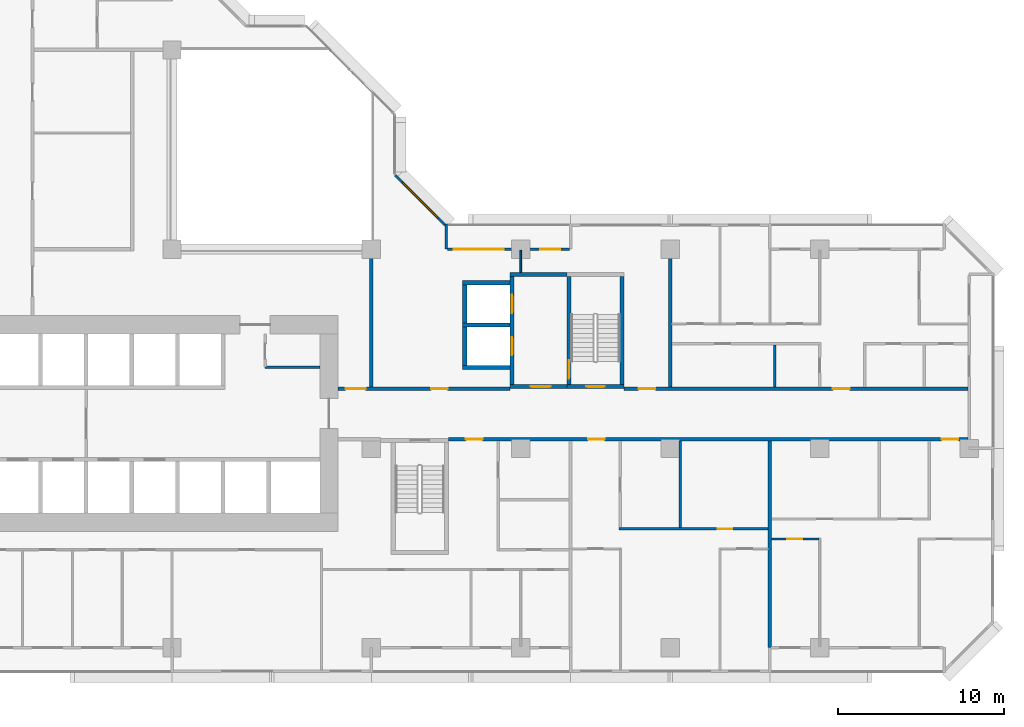
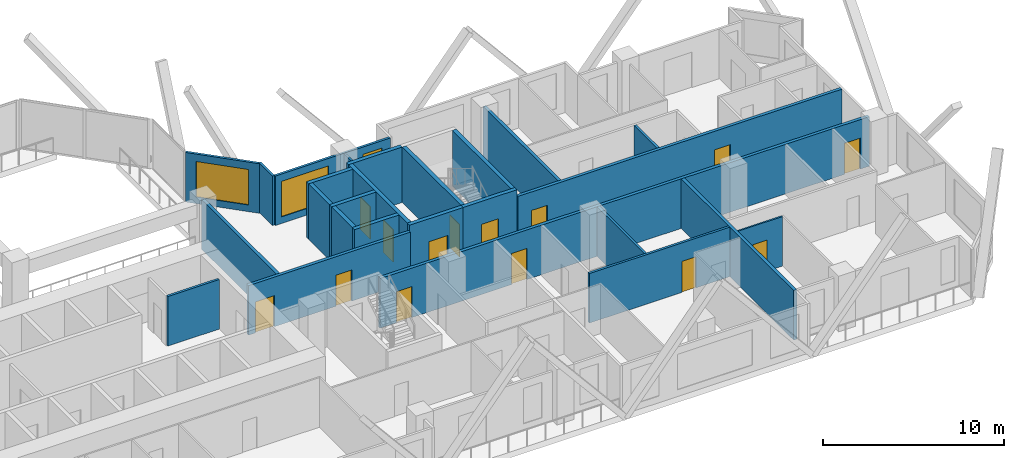
# One storey, part 7 of 15: 26 walls, 14 doors, 3 windows, 17 openings.
"""IFC4 building model written with IfcOpenShell, lengths in metres."""

from ifc_helpers import new_model, si_unit, direction, frame, frame_2d, origin, place, context, subcontext, project, spatial, rectangle, extrude, material, layer, layer_set, type_object, element, fill, save


model = new_model("IFC4")

# Units and contexts
model_context = context("Model", 3, precision=1e-05, world=origin(), true_north=direction((0.0, 1.0)))
body_context = subcontext(model_context, "Body", "Model", "MODEL_VIEW")
ifc_project = project(units=[si_unit("LENGTHUNIT", "METRE"), si_unit("AREAUNIT", "SQUARE_METRE"), si_unit("VOLUMEUNIT", "CUBIC_METRE"), si_unit("PLANEANGLEUNIT", "RADIAN"), si_unit("MASSUNIT", "GRAM", prefix="KILO")], contexts=[model_context])

# Site, building, storey
site_placement = place(None, origin())
site = spatial("IfcSite", under=ifc_project, at=site_placement, CompositionType="ELEMENT")
building_placement = place(site_placement, origin())
building = spatial("IfcBuilding", under=site, at=building_placement, Name="Chenar Terraces", CompositionType="ELEMENT")
storey_placement = place(building_placement, frame((0.0, 0.0, 56.39990234375)))
storey = spatial("IfcBuildingStorey", under=building, at=storey_placement, Name="L11", CompositionType="ELEMENT", Elevation=56.39990234375)

# Wall
ifc_material_1 = material(Name="Gypsum board on steel studs", Category="steel")
ifc_layer_1 = layer(ifc_material_1, 0.14990234375)
ifc_layer_set_1 = layer_set([ifc_layer_1], Name="Gypsum board on steel studs")
wall_type_1 = type_object("IfcWallType", Name="Core partition 150 gypsum board", PredefinedType="PARTITIONING", material=ifc_layer_set_1)
wall_1_placement = place(storey_placement, frame((29.60009765625, 16.89990234375, 0.0), z_axis=(0.0, 0.0, 1.0), x_axis=(1.0, 0.0, 0.0)))
element("IfcWall", 1, at=wall_1_placement, inside=storey, type_object=wall_type_1, Name="Core partition CP1 vestibule room south wall", PredefinedType="PARTITIONING", context=body_context, shape_type="SweptSolid", body=[
    extrude(rectangle(XDim=3.2998046875, YDim=0.14990234375, at=frame_2d((1.64990234375, 0.0))), origin(), (0.0, 0.0, 1.0), 3.35009765625),
])

# Wall, opening, door
ifc_material_2 = material(Name="Concrete C70/85", Category="concrete")
ifc_layer_2 = layer(ifc_material_2, 0.25)
ifc_layer_set_2 = layer_set([ifc_layer_2], Name="Concrete C70/85")
wall_type_2 = type_object("IfcWallType", Name="Core wall 250 Concrete C70/85", PredefinedType="SHEAR", material=ifc_layer_set_2)
wall_2_placement = place(storey_placement, frame((47.77490234375, 15.72509765625, 0.0), z_axis=(0.0, 0.0, 1.0), x_axis=(1.0, 0.0, 0.0)))
wall_2 = element("IfcWall", 2, at=wall_2_placement, inside=storey, type_object=wall_type_2, Name="Core wall ST3_S L11", PredefinedType="SHEAR", context=body_context, shape_type="SweptSolid", body=[
    extrude(rectangle(XDim=3.4501953125, YDim=0.25, at=frame_2d((1.72509765625, 0.0))), origin(), (0.0, 0.0, 1.0), 3.75),
])
opening_1_placement = place(wall_2_placement, frame((1.175048828125, 0.0, 0.0)))
opening_1 = element("IfcOpeningElement", 3, at=opening_1_placement, cuts=wall_2, Name="Opening DL11-C8", PredefinedType="OPENING", context=body_context, shape_type="SweptSolid", body=[
    extrude(rectangle(XDim=1.10009765625, YDim=2.199951171875, at=frame_2d((0.550048828125, 1.10009765625))), frame((0.0, 0.135009765625, 0.0), z_axis=(0.0, -1.0, 0.0), x_axis=(1.0, 0.0, 0.0)), (0.0, 0.0, 1.0), 0.27001953125),
])
ifc_material_3 = material(Name="Steel-framed fire-resisting door leaf", Category="steel")
door_type_1 = type_object("IfcDoorType", Name="Stair fire door FD60 1100 x 2200", OperationType="SINGLE_SWING_LEFT", PredefinedType="DOOR", material=ifc_material_3)
door_1_placement = place(opening_1_placement, frame((1.10009765625, 0.0, 0.0), z_axis=(0.0, 0.0, 1.0), x_axis=(-1.0, 0.0, 0.0)))
door_1 = element("IfcDoor", 4, at=door_1_placement, inside=storey, type_object=door_type_1, Name="Stair door DL11-C8", OperationType="SINGLE_SWING_LEFT", OverallHeight=2.199951171875, OverallWidth=1.10009765625, PredefinedType="DOOR", context=body_context, shape_type="SweptSolid", body=[
    extrude(rectangle(XDim=1.10009765625, YDim=2.199951171875, at=frame_2d((0.550048828125, 1.10009765625))), frame((0.0, 0.02490234375, 0.0), z_axis=(0.0, -1.0, 0.0), x_axis=(1.0, 0.0, 0.0)), (0.0, 0.0, 1.0), 0.050048828125),
])
fill(opening_1, door_1)

wall_3_placement = place(storey_placement, frame((47.89990234375, 15.85009765625, 0.0), z_axis=(0.0, 0.0, 1.0), x_axis=(0.0, 1.0, 0.0)))
wall_3 = element("IfcWall", 5, at=wall_3_placement, inside=storey, type_object=wall_type_2, Name="Core wall ST3_W L11", PredefinedType="SHEAR", context=body_context, shape_type="SweptSolid", body=[
    extrude(rectangle(XDim=6.5, YDim=0.25, at=frame_2d((3.25, 0.0))), origin(), (0.0, 0.0, 1.0), 3.75),
])
opening_2_placement = place(wall_3_placement, frame((0.35009765625, 0.0, 0.0)))
opening_2 = element("IfcOpeningElement", 6, at=opening_2_placement, cuts=wall_3, Name="Opening DL11-C11", PredefinedType="OPENING", context=body_context, shape_type="SweptSolid", body=[
    extrude(rectangle(XDim=1.10009765625, YDim=2.199951171875, at=frame_2d((0.550048828125, 1.10009765625))), frame((0.0, 0.135009765625, 0.0), z_axis=(0.0, -1.0, 0.0), x_axis=(1.0, 0.0, 0.0)), (0.0, 0.0, 1.0), 0.27001953125),
])
door_2_placement = place(opening_2_placement, frame((1.10009765625, 0.0, 0.0), z_axis=(0.0, 0.0, 1.0), x_axis=(-1.0, 0.0, 0.0)))
door_2 = element("IfcDoor", 7, at=door_2_placement, inside=storey, type_object=door_type_1, Name="Stair door DL11-C11", OperationType="SINGLE_SWING_RIGHT", OverallHeight=2.199951171875, OverallWidth=1.10009765625, PredefinedType="DOOR", context=body_context, shape_type="SweptSolid", body=[
    extrude(rectangle(XDim=1.10009765625, YDim=2.199951171875, at=frame_2d((0.550048828125, 1.10009765625))), frame((0.0, 0.02490234375, 0.0), z_axis=(0.0, -1.0, 0.0), x_axis=(1.0, 0.0, 0.0)), (0.0, 0.0, 1.0), 0.050048828125),
])
fill(opening_2, door_2)

# Wall
wall_4_placement = place(storey_placement, frame((51.10009765625, 15.85009765625, 0.0), z_axis=(0.0, 0.0, 1.0), x_axis=(0.0, 1.0, 0.0)))
element("IfcWall", 8, at=wall_4_placement, inside=storey, type_object=wall_type_2, Name="Core wall ST3_E L11", PredefinedType="SHEAR", context=body_context, shape_type="SweptSolid", body=[
    extrude(rectangle(XDim=6.5, YDim=0.25, at=frame_2d((3.25, 0.0))), origin(), (0.0, 0.0, 1.0), 3.75),
])

# Wall, opening, door
wall_5_placement = place(storey_placement, frame((44.35009765625, 15.72509765625, 0.0), z_axis=(0.0, 0.0, 1.0), x_axis=(1.0, 0.0, 0.0)))
wall_5 = element("IfcWall", 9, at=wall_5_placement, inside=storey, type_object=wall_type_2, Name="Core wall F3_LS L11", PredefinedType="SHEAR", context=body_context, shape_type="SweptSolid", body=[
    extrude(rectangle(XDim=3.4248046875, YDim=0.25, at=frame_2d((1.71240234375, 0.0))), origin(), (0.0, 0.0, 1.0), 3.75),
])
opening_3_placement = place(wall_5_placement, frame((1.25, 0.0, 0.0)))
opening_3 = element("IfcOpeningElement", 10, at=opening_3_placement, cuts=wall_5, Name="Opening DL11-C10", PredefinedType="OPENING", context=body_context, shape_type="SweptSolid", body=[
    extrude(rectangle(XDim=1.199951171875, YDim=2.199951171875, at=frame_2d((0.60009765625, 1.10009765625))), frame((0.0, 0.135009765625, 0.0), z_axis=(0.0, -1.0, 0.0), x_axis=(1.0, 0.0, 0.0)), (0.0, 0.0, 1.0), 0.27001953125),
])
ifc_material_4 = material(Name="Steel-framed fire-resisting door leaf", Category="steel")
door_type_2 = type_object("IfcDoorType", Name="Lobby fire door FD60 1200 x 2200", OperationType="SINGLE_SWING_LEFT", PredefinedType="DOOR", material=ifc_material_4)
door_3_placement = place(opening_3_placement, origin())
door_3 = element("IfcDoor", 11, at=door_3_placement, inside=storey, type_object=door_type_2, Name="Core door DL11-C10", OperationType="SINGLE_SWING_RIGHT", OverallHeight=2.199951171875, OverallWidth=1.199951171875, PredefinedType="DOOR", context=body_context, shape_type="SweptSolid", body=[
    extrude(rectangle(XDim=1.199951171875, YDim=2.199951171875, at=frame_2d((0.60009765625, 1.10009765625))), frame((0.0, 0.02490234375, 0.0), z_axis=(0.0, -1.0, 0.0), x_axis=(1.0, 0.0, 0.0)), (0.0, 0.0, 1.0), 0.050048828125),
])
fill(opening_3, door_3)

# Wall
wall_6_placement = place(storey_placement, frame((44.35009765625, 22.47509765625, 0.0), z_axis=(0.0, 0.0, 1.0), x_axis=(1.0, 0.0, 0.0)))
element("IfcWall", 12, at=wall_6_placement, inside=storey, type_object=wall_type_2, Name="Core wall F3_LN L11", PredefinedType="SHEAR", context=body_context, shape_type="SweptSolid", body=[
    extrude(rectangle(XDim=3.4248046875, YDim=0.25, at=frame_2d((1.71240234375, 0.0))), origin(), (0.0, 0.0, 1.0), 3.75),
])

# Wall, openings, doors
wall_7_placement = place(storey_placement, frame((44.47509765625, 15.85009765625, 0.0), z_axis=(0.0, 0.0, 1.0), x_axis=(0.0, 1.0, 0.0)))
wall_7 = element("IfcWall", 13, at=wall_7_placement, inside=storey, type_object=wall_type_2, Name="Core wall F3_LW L11", PredefinedType="SHEAR", context=body_context, shape_type="SweptSolid", body=[
    extrude(rectangle(XDim=6.5, YDim=0.25, at=frame_2d((3.25, 0.0))), origin(), (0.0, 0.0, 1.0), 3.75),
])
opening_4_placement = place(wall_7_placement, frame((1.75, 0.0, 0.0)))
opening_4 = element("IfcOpeningElement", 14, at=opening_4_placement, cuts=wall_7, Name="Opening DL11-LD8", PredefinedType="OPENING", context=body_context, shape_type="SweptSolid", body=[
    extrude(rectangle(XDim=1.10009765625, YDim=2.199951171875, at=frame_2d((0.550048828125, 1.10009765625))), frame((0.0, 0.135009765625, 0.0), z_axis=(0.0, -1.0, 0.0), x_axis=(1.0, 0.0, 0.0)), (0.0, 0.0, 1.0), 0.27001953125),
])
opening_5_placement = place(wall_7_placement, frame((4.300048828125, 0.0, 0.0)))
opening_5 = element("IfcOpeningElement", 15, at=opening_5_placement, cuts=wall_7, Name="Opening DL11-LD9", PredefinedType="OPENING", context=body_context, shape_type="SweptSolid", body=[
    extrude(rectangle(XDim=1.10009765625, YDim=2.199951171875, at=frame_2d((0.550048828125, 1.10009765625))), frame((0.0, 0.135009765625, 0.0), z_axis=(0.0, -1.0, 0.0), x_axis=(1.0, 0.0, 0.0)), (0.0, 0.0, 1.0), 0.27001953125),
])
ifc_material_5 = material(Name="Stainless steel", Category="steel")
door_type_3 = type_object("IfcDoorType", Name="Lift landing door 1100 x 2200 sliding", OperationType="DOUBLE_DOOR_SLIDING", PredefinedType="DOOR", material=ifc_material_5)
door_4_placement = place(opening_4_placement, origin())
door_4 = element("IfcDoor", 16, at=door_4_placement, inside=storey, type_object=door_type_3, Name="Landing door F3", OperationType="DOUBLE_DOOR_SLIDING", OverallHeight=2.199951171875, OverallWidth=1.10009765625, PredefinedType="DOOR", context=body_context, shape_type="SweptSolid", body=[
    extrude(rectangle(XDim=1.10009765625, YDim=2.199951171875, at=frame_2d((0.550048828125, 1.10009765625))), frame((0.0, 0.02490234375, 0.0), z_axis=(0.0, -1.0, 0.0), x_axis=(1.0, 0.0, 0.0)), (0.0, 0.0, 1.0), 0.050048828125),
])
fill(opening_4, door_4)
door_5_placement = place(opening_5_placement, origin())
door_5 = element("IfcDoor", 17, at=door_5_placement, inside=storey, type_object=door_type_3, Name="Landing door F4", OperationType="DOUBLE_DOOR_SLIDING", OverallHeight=2.199951171875, OverallWidth=1.10009765625, PredefinedType="DOOR", context=body_context, shape_type="SweptSolid", body=[
    extrude(rectangle(XDim=1.10009765625, YDim=2.199951171875, at=frame_2d((0.550048828125, 1.10009765625))), frame((0.0, 0.02490234375, 0.0), z_axis=(0.0, -1.0, 0.0), x_axis=(1.0, 0.0, 0.0)), (0.0, 0.0, 1.0), 0.050048828125),
])
fill(opening_5, door_5)

# Walls
for number, where, z_axis, x_axis, name in (
    (18, (41.5, 16.875, 0.0), (0.0, 0.0, 1.0), (1.0, 0.0, 0.0), "Core wall F3_SS L11"),
    (19, (41.5, 19.425048828125, 0.0), (0.0, 0.0, 1.0), (1.0, 0.0, 0.0), "Core wall F3_SM L11"),
    (20, (41.5, 21.97509765625, 0.0), (0.0, 0.0, 1.0), (1.0, 0.0, 0.0), "Core wall F4_SN L11"),
):
    element("IfcWall", number, at=place(storey_placement, frame(where, z_axis=z_axis, x_axis=x_axis)), inside=storey, type_object=wall_type_2, Name=name, PredefinedType="SHEAR", context=body_context, shape_type="SweptSolid", body=[
        extrude(rectangle(XDim=2.85009765625, YDim=0.25, at=frame_2d((1.425048828125, 0.0))), origin(), (0.0, 0.0, 1.0), 3.75),
    ])
for number, where, z_axis, x_axis, name in (
    (21, (41.625, 17.0, 0.0), (0.0, 0.0, 1.0), (0.0, 1.0, 0.0), "Core wall F3_SW L11"),
    (22, (41.625, 19.550048828125, 0.0), (0.0, 0.0, 1.0), (0.0, 1.0, 0.0), "Core wall F4_SW L11"),
):
    element("IfcWall", number, at=place(storey_placement, frame(where, z_axis=z_axis, x_axis=x_axis)), inside=storey, type_object=wall_type_2, Name=name, PredefinedType="SHEAR", context=body_context, shape_type="SweptSolid", body=[
        extrude(rectangle(XDim=2.300048828125, YDim=0.25, at=frame_2d((1.14990234375, 0.0))), origin(), (0.0, 0.0, 1.0), 3.75),
    ])

# Wall, openings, doors
ifc_material_6 = material(Name="Gypsum board on steel studs with fire boards", Category="steel")
ifc_layer_3 = layer(ifc_material_6, 0.199951171875)
ifc_layer_set_3 = layer_set([ifc_layer_3], Name="Gypsum board on steel studs with fire boards")
wall_type_3 = type_object("IfcWallType", Name="Corridor wall 200", PredefinedType="PARTITIONING", material=ifc_layer_set_3)
wall_8_placement = place(storey_placement, frame((34.0, 15.60009765625, 0.0), z_axis=(0.0, 0.0, 1.0), x_axis=(1.0, 0.0, 0.0)))
wall_8 = element("IfcWall", 23, at=wall_8_placement, inside=storey, type_object=wall_type_3, Name="Partition L11-062", PredefinedType="PARTITIONING", context=body_context, shape_type="SweptSolid", body=[
    extrude(rectangle(XDim=10.35009765625, YDim=0.199951171875, at=frame_2d((5.175048828125, 0.0))), origin(), (0.0, 0.0, 1.0), 3.35009765625),
])
opening_6_placement = place(wall_8_placement, frame((5.60009765625, 0.0, 0.0)))
opening_6 = element("IfcOpeningElement", 24, at=opening_6_placement, cuts=wall_8, Name="Opening DL11-3", PredefinedType="OPENING", context=body_context, shape_type="SweptSolid", body=[
    extrude(rectangle(XDim=1.0, YDim=2.10009765625, at=frame_2d((0.5, 1.050048828125))), frame((0.0, 0.10986328125, 0.0), z_axis=(0.0, -1.0, 0.0), x_axis=(1.0, 0.0, 0.0)), (0.0, 0.0, 1.0), 0.219970703125),
])
opening_7_placement = place(wall_8_placement, frame((0.449951171875, 0.0, 0.0)))
opening_7 = element("IfcOpeningElement", 25, at=opening_7_placement, cuts=wall_8, Name="Opening DL11-50", PredefinedType="OPENING", context=body_context, shape_type="SweptSolid", body=[
    extrude(rectangle(XDim=1.199951171875, YDim=2.10009765625, at=frame_2d((0.60009765625, 1.050048828125))), frame((0.0, 0.10986328125, 0.0), z_axis=(0.0, -1.0, 0.0), x_axis=(1.0, 0.0, 0.0)), (0.0, 0.0, 1.0), 0.219970703125),
])
ifc_material_7 = material(Name="Steel-framed fire-resisting door leaf", Category="steel")
door_type_4 = type_object("IfcDoorType", Name="Fire door FD60 1000 x 2100", OperationType="SINGLE_SWING_LEFT", PredefinedType="DOOR", material=ifc_material_7)
door_6_placement = place(opening_6_placement, origin())
door_6 = element("IfcDoor", 26, at=door_6_placement, inside=storey, type_object=door_type_4, Name="Door DL11-3", OperationType="SINGLE_SWING_RIGHT", OverallHeight=2.10009765625, OverallWidth=1.0, PredefinedType="DOOR", context=body_context, shape_type="SweptSolid", body=[
    extrude(rectangle(XDim=1.0, YDim=2.10009765625, at=frame_2d((0.5, 1.050048828125))), frame((0.0, 0.02490234375, 0.0), z_axis=(0.0, -1.0, 0.0), x_axis=(1.0, 0.0, 0.0)), (0.0, 0.0, 1.0), 0.050048828125),
])
fill(opening_6, door_6)
ifc_material_8 = material(Name="Steel-framed fire-resisting door leaf", Category="steel")
door_type_5 = type_object("IfcDoorType", Name="Fire door FD60 1200 x 2100", OperationType="SINGLE_SWING_LEFT", PredefinedType="DOOR", material=ifc_material_8)
door_7_placement = place(opening_7_placement, origin())
door_7 = element("IfcDoor", 27, at=door_7_placement, inside=storey, type_object=door_type_5, Name="Door DL11-50", OperationType="SINGLE_SWING_RIGHT", OverallHeight=2.10009765625, OverallWidth=1.199951171875, PredefinedType="DOOR", context=body_context, shape_type="SweptSolid", body=[
    extrude(rectangle(XDim=1.199951171875, YDim=2.10009765625, at=frame_2d((0.60009765625, 1.050048828125))), frame((0.0, 0.02490234375, 0.0), z_axis=(0.0, -1.0, 0.0), x_axis=(1.0, 0.0, 0.0)), (0.0, 0.0, 1.0), 0.050048828125),
])
fill(opening_7, door_7)

# Wall
wall_9_placement = place(storey_placement, frame((36.0, 15.699951171875, 0.0), z_axis=(0.0, 0.0, 1.0), x_axis=(0.0, 1.0, 0.0)))
element("IfcWall", 28, at=wall_9_placement, inside=storey, type_object=wall_type_3, Name="Partition L11-063", PredefinedType="PARTITIONING", context=body_context, shape_type="SweptSolid", body=[
    extrude(rectangle(XDim=8.300048828125, YDim=0.199951171875, at=frame_2d((4.14990234375, 0.0))), origin(), (0.0, 0.0, 1.0), 3.35009765625),
])

# Wall, openings, doors
wall_10_placement = place(storey_placement, frame((40.64990234375, 12.550048828125, 0.0), z_axis=(0.0, 0.0, 1.0), x_axis=(1.0, 0.0, 0.0)))
wall_10 = element("IfcWall", 29, at=wall_10_placement, inside=storey, type_object=wall_type_3, Name="Partition L11-064", PredefinedType="PARTITIONING", context=body_context, shape_type="SweptSolid", body=[
    extrude(rectangle(XDim=31.276123046875, YDim=0.199951171875, at=frame_2d((15.63818359375, 0.0))), origin(), (0.0, 0.0, 1.0), 3.35009765625),
])
opening_8_placement = place(wall_10_placement, frame((8.39990234375, 0.0, 0.0)))
opening_8 = element("IfcOpeningElement", 30, at=opening_8_placement, cuts=wall_10, Name="Opening DL11-17", PredefinedType="OPENING", context=body_context, shape_type="SweptSolid", body=[
    extrude(rectangle(XDim=1.0, YDim=2.10009765625, at=frame_2d((0.5, 1.050048828125))), frame((0.0, 0.10986328125, 0.0), z_axis=(0.0, -1.0, 0.0), x_axis=(1.0, 0.0, 0.0)), (0.0, 0.0, 1.0), 0.219970703125),
])
opening_9_placement = place(wall_10_placement, frame((29.699951171875, 0.0, 0.0)))
opening_9 = element("IfcOpeningElement", 31, at=opening_9_placement, cuts=wall_10, Name="Opening DL11-22", PredefinedType="OPENING", context=body_context, shape_type="SweptSolid", body=[
    extrude(rectangle(XDim=1.0, YDim=2.10009765625, at=frame_2d((0.5, 1.050048828125))), frame((0.0, 0.10986328125, 0.0), z_axis=(0.0, -1.0, 0.0), x_axis=(1.0, 0.0, 0.0)), (0.0, 0.0, 1.0), 0.219970703125),
])
opening_10_placement = place(wall_10_placement, frame((1.050048828125, 0.0, 0.0)))
opening_10 = element("IfcOpeningElement", 32, at=opening_10_placement, cuts=wall_10, Name="Opening DL11-64", PredefinedType="OPENING", context=body_context, shape_type="SweptSolid", body=[
    extrude(rectangle(XDim=1.0, YDim=2.10009765625, at=frame_2d((0.5, 1.050048828125))), frame((0.0, 0.10986328125, 0.0), z_axis=(0.0, -1.0, 0.0), x_axis=(1.0, 0.0, 0.0)), (0.0, 0.0, 1.0), 0.219970703125),
])
ifc_material_9 = material(Name="Steel-framed fire-resisting door leaf", Category="steel")
door_type_6 = type_object("IfcDoorType", Name="Fire door FD30S 1000 x 2100", OperationType="SINGLE_SWING_LEFT", PredefinedType="DOOR", material=ifc_material_9)
door_8_placement = place(opening_8_placement, frame((1.0, 0.0, 0.0), z_axis=(0.0, 0.0, 1.0), x_axis=(-1.0, 0.0, 0.0)))
door_8 = element("IfcDoor", 33, at=door_8_placement, inside=storey, type_object=door_type_6, Name="Door DL11-17", OperationType="SINGLE_SWING_LEFT", OverallHeight=2.10009765625, OverallWidth=1.0, PredefinedType="DOOR", context=body_context, shape_type="SweptSolid", body=[
    extrude(rectangle(XDim=1.0, YDim=2.10009765625, at=frame_2d((0.5, 1.050048828125))), frame((0.0, 0.02490234375, 0.0), z_axis=(0.0, -1.0, 0.0), x_axis=(1.0, 0.0, 0.0)), (0.0, 0.0, 1.0), 0.050048828125),
])
fill(opening_8, door_8)
door_9_placement = place(opening_9_placement, frame((1.0, 0.0, 0.0), z_axis=(0.0, 0.0, 1.0), x_axis=(-1.0, 0.0, 0.0)))
door_9 = element("IfcDoor", 34, at=door_9_placement, inside=storey, type_object=door_type_6, Name="Door DL11-22", OperationType="SINGLE_SWING_LEFT", OverallHeight=2.10009765625, OverallWidth=1.0, PredefinedType="DOOR", context=body_context, shape_type="SweptSolid", body=[
    extrude(rectangle(XDim=1.0, YDim=2.10009765625, at=frame_2d((0.5, 1.050048828125))), frame((0.0, 0.02490234375, 0.0), z_axis=(0.0, -1.0, 0.0), x_axis=(1.0, 0.0, 0.0)), (0.0, 0.0, 1.0), 0.050048828125),
])
fill(opening_9, door_9)
door_10_placement = place(opening_10_placement, origin())
door_10 = element("IfcDoor", 35, at=door_10_placement, inside=storey, type_object=door_type_6, Name="Door DL11-64", OperationType="SINGLE_SWING_RIGHT", OverallHeight=2.10009765625, OverallWidth=1.0, PredefinedType="DOOR", context=body_context, shape_type="SweptSolid", body=[
    extrude(rectangle(XDim=1.0, YDim=2.10009765625, at=frame_2d((0.5, 1.050048828125))), frame((0.0, 0.02490234375, 0.0), z_axis=(0.0, -1.0, 0.0), x_axis=(1.0, 0.0, 0.0)), (0.0, 0.0, 1.0), 0.050048828125),
])
fill(opening_10, door_10)

wall_11_placement = place(storey_placement, frame((51.22509765625, 15.60009765625, 0.0), z_axis=(0.0, 0.0, 1.0), x_axis=(1.0, 0.0, 0.0)))
wall_11 = element("IfcWall", 36, at=wall_11_placement, inside=storey, type_object=wall_type_3, Name="Partition L11-077", PredefinedType="PARTITIONING", context=body_context, shape_type="SweptSolid", body=[
    extrude(rectangle(XDim=20.700927734375, YDim=0.199951171875, at=frame_2d((10.3505859375, 0.0))), origin(), (0.0, 0.0, 1.0), 3.35009765625),
])
opening_11_placement = place(wall_11_placement, frame((12.574951171875, 0.0, 0.0)))
opening_11 = element("IfcOpeningElement", 37, at=opening_11_placement, cuts=wall_11, Name="Opening DL11-10", PredefinedType="OPENING", context=body_context, shape_type="SweptSolid", body=[
    extrude(rectangle(XDim=1.0, YDim=2.10009765625, at=frame_2d((0.5, 1.050048828125))), frame((0.0, 0.10986328125, 0.0), z_axis=(0.0, -1.0, 0.0), x_axis=(1.0, 0.0, 0.0)), (0.0, 0.0, 1.0), 0.219970703125),
])
opening_12_placement = place(wall_11_placement, frame((0.875, 0.0, 0.0)))
opening_12 = element("IfcOpeningElement", 38, at=opening_12_placement, cuts=wall_11, Name="Opening DL11-53", PredefinedType="OPENING", context=body_context, shape_type="SweptSolid", body=[
    extrude(rectangle(XDim=1.0, YDim=2.10009765625, at=frame_2d((0.5, 1.050048828125))), frame((0.0, 0.10986328125, 0.0), z_axis=(0.0, -1.0, 0.0), x_axis=(1.0, 0.0, 0.0)), (0.0, 0.0, 1.0), 0.219970703125),
])
door_11_placement = place(opening_11_placement, origin())
door_11 = element("IfcDoor", 39, at=door_11_placement, inside=storey, type_object=door_type_6, Name="Door DL11-10", OperationType="SINGLE_SWING_LEFT", OverallHeight=2.10009765625, OverallWidth=1.0, PredefinedType="DOOR", context=body_context, shape_type="SweptSolid", body=[
    extrude(rectangle(XDim=1.0, YDim=2.10009765625, at=frame_2d((0.5, 1.050048828125))), frame((0.0, 0.02490234375, 0.0), z_axis=(0.0, -1.0, 0.0), x_axis=(1.0, 0.0, 0.0)), (0.0, 0.0, 1.0), 0.050048828125),
])
fill(opening_11, door_11)
door_12_placement = place(opening_12_placement, origin())
door_12 = element("IfcDoor", 40, at=door_12_placement, inside=storey, type_object=door_type_6, Name="Door DL11-53", OperationType="SINGLE_SWING_RIGHT", OverallHeight=2.10009765625, OverallWidth=1.0, PredefinedType="DOOR", context=body_context, shape_type="SweptSolid", body=[
    extrude(rectangle(XDim=1.0, YDim=2.10009765625, at=frame_2d((0.5, 1.050048828125))), frame((0.0, 0.02490234375, 0.0), z_axis=(0.0, -1.0, 0.0), x_axis=(1.0, 0.0, 0.0)), (0.0, 0.0, 1.0), 0.050048828125),
])
fill(opening_12, door_12)

# Wall, openings, windows
ifc_material_10 = material(Name="Aluminium framed glazing", Category="aluminium")
ifc_layer_4 = layer(ifc_material_10, 0.14990234375)
ifc_layer_set_4 = layer_set([ifc_layer_4], Name="Aluminium framed glazing")
wall_type_4 = type_object("IfcWallType", Name="Glazed loggia back wall 150", PredefinedType="SOLIDWALL", material=ifc_layer_set_4)
wall_12_placement = place(storey_placement, frame((47.925048828125, 24.0, 0.0), z_axis=(0.0, 0.0, 1.0), x_axis=(-1.0, 0.0, 0.0)))
wall_12 = element("IfcWall", 41, at=wall_12_placement, inside=storey, type_object=wall_type_4, Name="Glazed loggia back wall", PredefinedType="SOLIDWALL", context=body_context, shape_type="SweptSolid", body=[
    extrude(rectangle(XDim=7.35009765625, YDim=0.14990234375, at=frame_2d((3.675048828125, 0.0))), origin(), (0.0, 0.0, 1.0), 3.35009765625),
])
opening_13_placement = place(wall_12_placement, frame((0.53759765625, 0.0, 0.449951171875)))
opening_13 = element("IfcOpeningElement", 42, at=opening_13_placement, cuts=wall_12, Name="Opening W120x240", PredefinedType="OPENING", context=body_context, shape_type="SweptSolid", body=[
    extrude(rectangle(XDim=1.199951171875, YDim=2.39990234375, at=frame_2d((0.60009765625, 1.199951171875))), frame((0.0, 0.0849609375, 0.0), z_axis=(0.0, -1.0, 0.0), x_axis=(1.0, 0.0, 0.0)), (0.0, 0.0, 1.0), 0.169921875),
])
opening_14_placement = place(wall_12_placement, frame((3.96240234375, 0.0, 0.449951171875)))
opening_14 = element("IfcOpeningElement", 43, at=opening_14_placement, cuts=wall_12, Name="Opening W300x240", PredefinedType="OPENING", context=body_context, shape_type="SweptSolid", body=[
    extrude(rectangle(XDim=3.0, YDim=2.39990234375, at=frame_2d((1.5, 1.199951171875))), frame((0.0, 0.0849609375, 0.0), z_axis=(0.0, -1.0, 0.0), x_axis=(1.0, 0.0, 0.0)), (0.0, 0.0, 1.0), 0.169921875),
])
ifc_material_11 = material(Name="Low emissivity double glazing, aluminium frame", Category="aluminium")
window_type_1 = type_object("IfcWindowType", Name="Fixed light 1200 x 2400", PartitioningType="SINGLE_PANEL", PredefinedType="WINDOW", material=ifc_material_11)
window_1_placement = place(opening_13_placement, origin())
window_1 = element("IfcWindow", 44, at=window_1_placement, inside=storey, type_object=window_type_1, Name="Window", OverallHeight=2.39990234375, OverallWidth=1.199951171875, PartitioningType="SINGLE_PANEL", PredefinedType="WINDOW", context=body_context, shape_type="SweptSolid", body=[
    extrude(rectangle(XDim=1.199951171875, YDim=2.39990234375, at=frame_2d((0.60009765625, 1.199951171875))), frame((0.0, 0.030029296875, 0.0), z_axis=(0.0, -1.0, 0.0), x_axis=(1.0, 0.0, 0.0)), (0.0, 0.0, 1.0), 0.06005859375),
])
fill(opening_13, window_1)
ifc_material_12 = material(Name="Low emissivity double glazing, aluminium frame", Category="aluminium")
window_type_2 = type_object("IfcWindowType", Name="Fixed light 3000 x 2400", PartitioningType="SINGLE_PANEL", PredefinedType="WINDOW", material=ifc_material_12)
window_2_placement = place(opening_14_placement, origin())
window_2 = element("IfcWindow", 45, at=window_2_placement, inside=storey, type_object=window_type_2, Name="Window", OverallHeight=2.39990234375, OverallWidth=3.0, PartitioningType="SINGLE_PANEL", PredefinedType="WINDOW", context=body_context, shape_type="SweptSolid", body=[
    extrude(rectangle(XDim=3.0, YDim=2.39990234375, at=frame_2d((1.5, 1.199951171875))), frame((0.0, 0.030029296875, 0.0), z_axis=(0.0, -1.0, 0.0), x_axis=(1.0, 0.0, 0.0)), (0.0, 0.0, 1.0), 0.06005859375),
])
fill(opening_14, window_2)

# Wall
ifc_material_13 = material(Name="Gypsum board on steel studs", Category="steel")
ifc_layer_5 = layer(ifc_material_13, 0.10009765625)
ifc_layer_set_5 = layer_set([ifc_layer_5], Name="Gypsum board on steel studs")
wall_type_5 = type_object("IfcWallType", Name="Gypsum partition 100", PredefinedType="PARTITIONING", material=ifc_layer_set_5)
wall_13_placement = place(storey_placement, frame((45.0, 22.60009765625, 0.0), z_axis=(0.0, 0.0, 1.0), x_axis=(0.0, 1.0, 0.0)))
element("IfcWall", 46, at=wall_13_placement, inside=storey, type_object=wall_type_5, Name="Partition L11-070", PredefinedType="PARTITIONING", context=body_context, shape_type="SweptSolid", body=[
    extrude(rectangle(XDim=1.325927734375, YDim=0.10009765625, at=frame_2d((0.6630859375, 0.0))), origin(), (0.0, 0.0, 1.0), 3.35009765625),
])

# Wall, opening, door
wall_14_placement = place(storey_placement, frame((60.10009765625, 6.550048828125, 0.0), z_axis=(0.0, 0.0, 1.0), x_axis=(1.0, 0.0, 0.0)))
wall_14 = element("IfcWall", 47, at=wall_14_placement, inside=storey, type_object=wall_type_5, Name="Partition L11-087", PredefinedType="PARTITIONING", context=body_context, shape_type="SweptSolid", body=[
    extrude(rectangle(XDim=2.849853515625, YDim=0.10009765625, at=frame_2d((1.4248046875, 0.0))), origin(), (0.0, 0.0, 1.0), 3.35009765625),
])
opening_15_placement = place(wall_14_placement, frame((0.949951171875, 0.0, 0.0)))
opening_15 = element("IfcOpeningElement", 48, at=opening_15_placement, cuts=wall_14, Name="Opening DL11-19", PredefinedType="OPENING", context=body_context, shape_type="SweptSolid", body=[
    extrude(rectangle(XDim=0.89990234375, YDim=2.10009765625, at=frame_2d((0.449951171875, 1.050048828125))), frame((0.0, 0.06005859375, 0.0), z_axis=(0.0, -1.0, 0.0), x_axis=(1.0, 0.0, 0.0)), (0.0, 0.0, 1.0), 0.1201171875),
])
ifc_material_14 = material(Name="Veneered timber door leaf", Category="wood")
door_type_7 = type_object("IfcDoorType", Name="Door 900 x 2100", OperationType="SINGLE_SWING_LEFT", PredefinedType="DOOR", material=ifc_material_14)
door_13_placement = place(opening_15_placement, frame((0.89990234375, 0.0, 0.0), z_axis=(0.0, 0.0, 1.0), x_axis=(-1.0, 0.0, 0.0)))
door_13 = element("IfcDoor", 49, at=door_13_placement, inside=storey, type_object=door_type_7, Name="Door DL11-19", OperationType="SINGLE_SWING_LEFT", OverallHeight=2.10009765625, OverallWidth=0.89990234375, PredefinedType="DOOR", context=body_context, shape_type="SweptSolid", body=[
    extrude(rectangle(XDim=0.89990234375, YDim=2.10009765625, at=frame_2d((0.449951171875, 1.050048828125))), frame((0.0, 0.02490234375, 0.0), z_axis=(0.0, -1.0, 0.0), x_axis=(1.0, 0.0, 0.0)), (0.0, 0.0, 1.0), 0.050048828125),
])
fill(opening_15, door_13)

# Wall
ifc_material_15 = material(Name="Terracotta cladding on insulated backing", Category="masonry")
ifc_layer_6 = layer(ifc_material_15, 0.14990234375)
ifc_layer_set_6 = layer_set([ifc_layer_6], Name="Terracotta cladding on insulated backing")
wall_type_6 = type_object("IfcWallType", Name="Loggia return wall 150", PredefinedType="SOLIDWALL", material=ifc_layer_set_6)
wall_15_placement = place(storey_placement, frame((40.5, 25.5, 0.0), z_axis=(0.0, 0.0, 1.0), x_axis=(0.0, -1.0, 0.0)))
element("IfcWall", 50, at=wall_15_placement, inside=storey, type_object=wall_type_6, Name="Loggia return wall", PredefinedType="SOLIDWALL", context=body_context, shape_type="SweptSolid", body=[
    extrude(rectangle(XDim=1.5, YDim=0.14990234375, at=frame_2d((0.75, 0.0))), origin(), (0.0, 0.0, 1.0), 3.35009765625),
])

# Wall, opening, window
ifc_material_16 = material(Name="Terracotta cladding on insulated backing", Category="masonry")
ifc_layer_7 = layer(ifc_material_16, 0.14990234375)
ifc_layer_set_7 = layer_set([ifc_layer_7], Name="Terracotta cladding on insulated backing")
wall_type_7 = type_object("IfcWallType", Name="Terracotta rainscreen wall 150", PredefinedType="SOLIDWALL", material=ifc_layer_set_7)
wall_16_placement = place(storey_placement, frame((40.447021484375, 25.447021484375, 0.0), z_axis=(0.0, 0.0, 1.0), x_axis=(-0.707106781187, 0.707106781187, 0.0)))
wall_16 = element("IfcWall", 51, at=wall_16_placement, inside=storey, type_object=wall_type_7, Name="Terracotta rainscreen wall", PredefinedType="SOLIDWALL", context=body_context, shape_type="SweptSolid", body=[
    extrude(rectangle(XDim=4.24267578125, YDim=0.14990234375, at=frame_2d((2.121337890625, 0.0))), origin(), (0.0, 0.0, 1.0), 3.35009765625),
])
opening_16_placement = place(wall_16_placement, frame((0.621337890625, 0.0, 0.449951171875)))
opening_16 = element("IfcOpeningElement", 52, at=opening_16_placement, cuts=wall_16, Name="Opening W300x240", PredefinedType="OPENING", context=body_context, shape_type="SweptSolid", body=[
    extrude(rectangle(XDim=3.0, YDim=2.39990234375, at=frame_2d((1.5, 1.199951171875))), frame((0.0, 0.0849609375, 0.0), z_axis=(0.0, -1.0, 0.0), x_axis=(1.0, 0.0, 0.0)), (0.0, 0.0, 1.0), 0.169921875),
])
window_3_placement = place(opening_16_placement, origin())
window_3 = element("IfcWindow", 53, at=window_3_placement, inside=storey, type_object=window_type_2, Name="Window", OverallHeight=2.39990234375, OverallWidth=3.0, PartitioningType="SINGLE_PANEL", PredefinedType="WINDOW", context=body_context, shape_type="SweptSolid", body=[
    extrude(rectangle(XDim=3.0, YDim=2.39990234375, at=frame_2d((1.5, 1.199951171875))), frame((0.0, 0.030029296875, 0.0), z_axis=(0.0, -1.0, 0.0), x_axis=(1.0, 0.0, 0.0)), (0.0, 0.0, 1.0), 0.06005859375),
])
fill(opening_16, window_3)

# Walls
ifc_material_17 = material(Name="Twin gypsum board on steel studs with mineral wool", Category="steel")
ifc_layer_8 = layer(ifc_material_17, 0.199951171875)
ifc_layer_set_8 = layer_set([ifc_layer_8], Name="Twin gypsum board on steel studs with mineral wool")
wall_type_8 = type_object("IfcWallType", Name="Unit demising wall 200", PredefinedType="PARTITIONING", material=ifc_layer_set_8)
wall_17_placement = place(storey_placement, frame((54.0, 15.699951171875, 0.0), z_axis=(0.0, 0.0, 1.0), x_axis=(0.0, 1.0, 0.0)))
element("IfcWall", 54, at=wall_17_placement, inside=storey, type_object=wall_type_8, Name="Partition L11-078", PredefinedType="PARTITIONING", context=body_context, shape_type="SweptSolid", body=[
    extrude(rectangle(XDim=8.300048828125, YDim=0.199951171875, at=frame_2d((4.14990234375, 0.0))), origin(), (0.0, 0.0, 1.0), 3.35009765625),
])
wall_18_placement = place(storey_placement, frame((60.0, 0.0, 0.0), z_axis=(0.0, 0.0, 1.0), x_axis=(0.0, 1.0, 0.0)))
element("IfcWall", 55, at=wall_18_placement, inside=storey, type_object=wall_type_8, Name="Partition L11-085", PredefinedType="PARTITIONING", context=body_context, shape_type="SweptSolid", body=[
    extrude(rectangle(XDim=12.449951171875, YDim=0.199951171875, at=frame_2d((6.22509765625, 0.0))), origin(), (0.0, 0.0, 1.0), 3.35009765625),
])

# Wall, opening, door
ifc_material_18 = material(Name="Moisture-resistant gypsum board on steel studs", Category="steel")
ifc_layer_9 = layer(ifc_material_18, 0.14990234375)
ifc_layer_set_9 = layer_set([ifc_layer_9], Name="Moisture-resistant gypsum board on steel studs")
wall_type_9 = type_object("IfcWallType", Name="Wet-room partition 150", PredefinedType="PARTITIONING", material=ifc_layer_set_9)
wall_19_placement = place(storey_placement, frame((50.925048828125, 7.14990234375, 0.0), z_axis=(0.0, 0.0, 1.0), x_axis=(1.0, 0.0, 0.0)))
wall_19 = element("IfcWall", 56, at=wall_19_placement, inside=storey, type_object=wall_type_9, Name="Partition L11-074", PredefinedType="PARTITIONING", context=body_context, shape_type="SweptSolid", body=[
    extrude(rectangle(XDim=8.974853515625, YDim=0.14990234375, at=frame_2d((4.4873046875, 0.0))), origin(), (0.0, 0.0, 1.0), 3.35009765625),
])
opening_17_placement = place(wall_19_placement, frame((5.925048828125, 0.0, 0.0)))
opening_17 = element("IfcOpeningElement", 57, at=opening_17_placement, cuts=wall_19, Name="Opening DL11-16", PredefinedType="OPENING", context=body_context, shape_type="SweptSolid", body=[
    extrude(rectangle(XDim=0.89990234375, YDim=2.10009765625, at=frame_2d((0.449951171875, 1.050048828125))), frame((0.0, 0.0849609375, 0.0), z_axis=(0.0, -1.0, 0.0), x_axis=(1.0, 0.0, 0.0)), (0.0, 0.0, 1.0), 0.169921875),
])
door_14_placement = place(opening_17_placement, origin())
door_14 = element("IfcDoor", 58, at=door_14_placement, inside=storey, type_object=door_type_7, Name="Door DL11-16", OperationType="SINGLE_SWING_LEFT", OverallHeight=2.10009765625, OverallWidth=0.89990234375, PredefinedType="DOOR", context=body_context, shape_type="SweptSolid", body=[
    extrude(rectangle(XDim=0.89990234375, YDim=2.10009765625, at=frame_2d((0.449951171875, 1.050048828125))), frame((0.0, 0.02490234375, 0.0), z_axis=(0.0, -1.0, 0.0), x_axis=(1.0, 0.0, 0.0)), (0.0, 0.0, 1.0), 0.050048828125),
])
fill(opening_17, door_14)

# Walls
wall_20_placement = place(storey_placement, frame((54.60009765625, 7.22509765625, 0.0), z_axis=(0.0, 0.0, 1.0), x_axis=(0.0, 1.0, 0.0)))
element("IfcWall", 59, at=wall_20_placement, inside=storey, type_object=wall_type_9, Name="Partition L11-081", PredefinedType="PARTITIONING", context=body_context, shape_type="SweptSolid", body=[
    extrude(rectangle(XDim=5.224853515625, YDim=0.14990234375, at=frame_2d((2.6123046875, 0.0))), origin(), (0.0, 0.0, 1.0), 3.35009765625),
])
wall_21_placement = place(storey_placement, frame((60.300048828125, 15.699951171875, 0.0), z_axis=(0.0, 0.0, 1.0), x_axis=(0.0, 1.0, 0.0)))
element("IfcWall", 60, at=wall_21_placement, inside=storey, type_object=wall_type_9, Name="Partition L11-089", PredefinedType="PARTITIONING", context=body_context, shape_type="SweptSolid", body=[
    extrude(rectangle(XDim=2.525146484375, YDim=0.14990234375, at=frame_2d((1.2626953125, 0.0))), origin(), (0.0, 0.0, 1.0), 3.35009765625),
])

save(model, "model.ifc")
